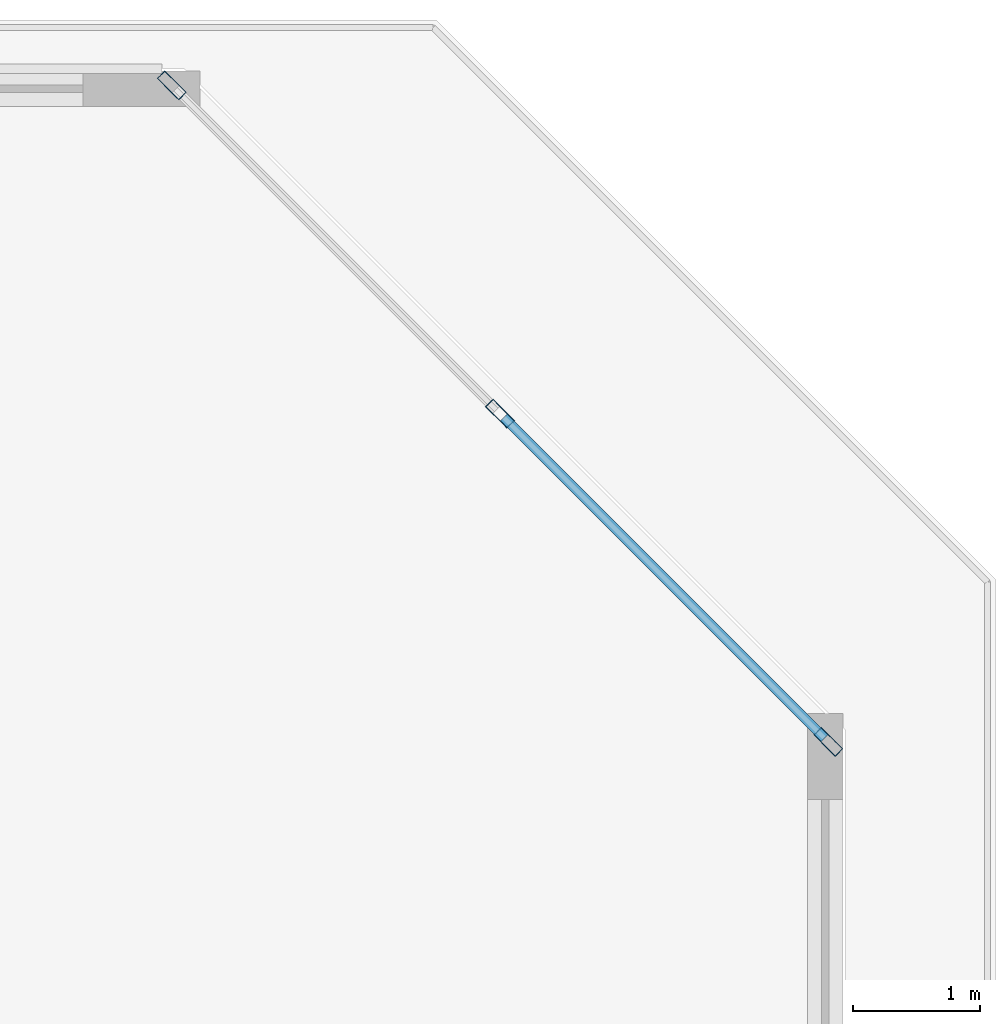
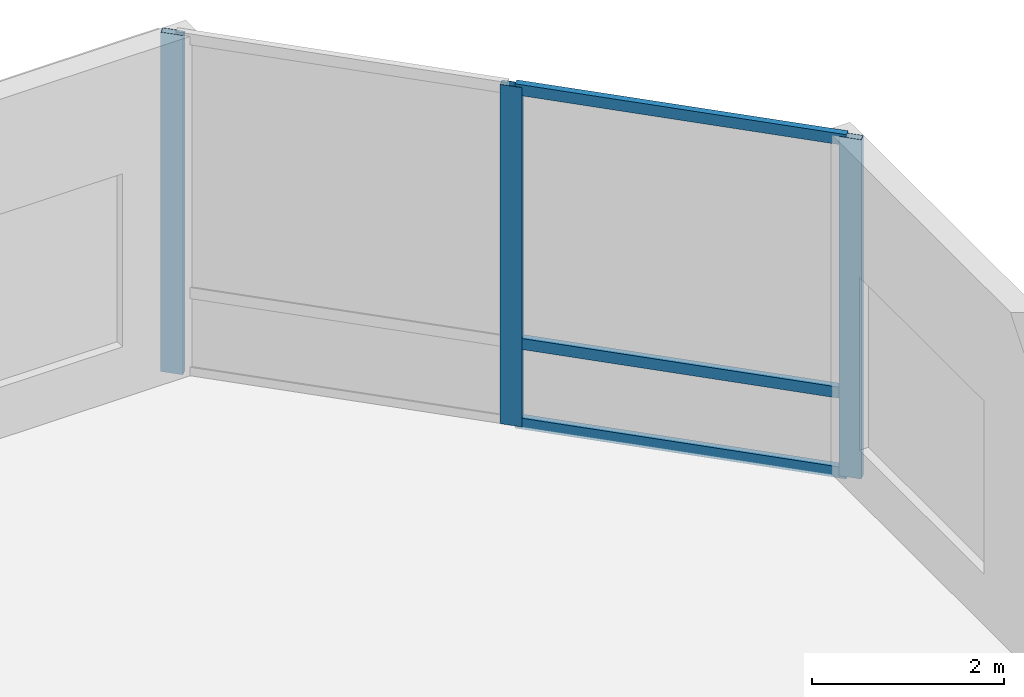
# One storey, part 4 of 14: 6 members, 1 element without a shape of its own.
"""IFC4 building model written with IfcOpenShell, lengths in metres."""

from ifc_helpers import new_model, si_unit, direction, frame, origin, origin_2d, place, context, subcontext, project, spatial, hollow_rectangle, extrude, material, layer, layer_set, material_profile, profile_set, type_object, element, aggregate, save


model = new_model("IFC4")

# Units and contexts
model_context = context("Model", 3, precision=1e-05, world=origin(), true_north=direction((0.0, 1.0)))
body_context = subcontext(model_context, "Body", "Model", "MODEL_VIEW")
ifc_project = project(units=[si_unit("LENGTHUNIT", "METRE"), si_unit("AREAUNIT", "SQUARE_METRE"), si_unit("VOLUMEUNIT", "CUBIC_METRE"), si_unit("PLANEANGLEUNIT", "RADIAN"), si_unit("MASSUNIT", "GRAM", prefix="KILO")], contexts=[model_context])

# Site, building, storey
site_placement = place(None, origin())
site = spatial("IfcSite", under=ifc_project, at=site_placement, CompositionType="ELEMENT")
building_placement = place(site_placement, origin())
building = spatial("IfcBuilding", under=site, at=building_placement, Name="Kestravale Grand Hotel", CompositionType="ELEMENT")
storey_placement = place(building_placement, frame((0.0, 0.0, 297.39990234375)))
storey = spatial("IfcBuildingStorey", under=building, at=storey_placement, Name="L74", CompositionType="ELEMENT", Elevation=297.39990234375)

# Curtain wall, members
ifc_material_1 = material(Name="Thermally broken champagne-bronze aluminium and low-E glazing", Category="aluminium")
ifc_layer = layer(ifc_material_1, 0.239990234375)
ifc_layer_set = layer_set([ifc_layer], Name="CW-OBS")
curtain_wall_type = type_object("IfcCurtainWallType", Name="CW-OBS", PredefinedType="NOTDEFINED", material=ifc_layer_set)
curtain_wall_placement = place(storey_placement, origin())
curtain_wall = element("IfcCurtainWall", 1, at=curtain_wall_placement, inside=storey, type_object=curtain_wall_type, Name="L74 unitised curtain wall 10", PredefinedType="NOTDEFINED")
ifc_material_2 = material(Name="Aluminium 6063-T6 anodised", Category="aluminium")
ifc_material_profile_1 = material_profile(ifc_material_2, hollow_rectangle(XDim=0.0849609375, YDim=0.239990234375, WallThickness=0.00439453125, at=origin_2d()))
ifc_profile_set_1 = profile_set([ifc_material_profile_1], Name="Aluminium 6063-T6 anodised")
member_type_1 = type_object("IfcMemberType", Name="CW-MUL-240", PredefinedType="MULLION", material=ifc_profile_set_1)
member_1_placement = place(storey_placement, frame((68.88525390625, 42.216796875, 0.0), z_axis=(0.0, 0.0, 1.0), x_axis=(-0.707106781187, -0.707106781187, 0.0)))
member_1 = element("IfcMember", 2, at=member_1_placement, type_object=member_type_1, Name="CW-OBS mullion 1", PredefinedType="MULLION", context=body_context, shape_type="SweptSolid", body=[
    extrude(hollow_rectangle(XDim=0.0849609375, YDim=0.239990234375, WallThickness=0.00439453125, at=origin_2d()), origin(), (0.0, 0.0, 1.0), 4.31005859375),
])
member_2_placement = place(storey_placement, frame((66.301025390625, 44.801025390625, 0.0), z_axis=(0.0, 0.0, 1.0), x_axis=(-0.707106781187, -0.707106781187, 0.0)))
member_2 = element("IfcMember", 3, at=member_2_placement, type_object=member_type_1, Name="CW-OBS mullion 2", PredefinedType="MULLION", context=body_context, shape_type="SweptSolid", body=[
    extrude(hollow_rectangle(XDim=0.0849609375, YDim=0.239990234375, WallThickness=0.00439453125, at=origin_2d()), origin(), (0.0, 0.0, 1.0), 4.31005859375),
])
member_3_placement = place(storey_placement, frame((63.716796875, 47.38525390625, 0.0), z_axis=(0.0, 0.0, 1.0), x_axis=(-0.707106781187, -0.707106781187, 0.0)))
member_3 = element("IfcMember", 4, at=member_3_placement, type_object=member_type_1, Name="CW-OBS mullion 3", PredefinedType="MULLION", context=body_context, shape_type="SweptSolid", body=[
    extrude(hollow_rectangle(XDim=0.0849609375, YDim=0.239990234375, WallThickness=0.00439453125, at=origin_2d()), origin(), (0.0, 0.0, 1.0), 4.31005859375),
])
ifc_material_3 = material(Name="Aluminium 6063-T6 anodised", Category="aluminium")
ifc_material_profile_2 = material_profile(ifc_material_3, hollow_rectangle(XDim=0.074951171875, YDim=0.139892578125, WallThickness=0.00341796875, at=origin_2d()))
ifc_profile_set_2 = profile_set([ifc_material_profile_2], Name="Aluminium 6063-T6 anodised")
member_type_2 = type_object("IfcMemberType", Name="CW-TRN-140", PredefinedType="USERDEFINED", material=ifc_profile_set_2)
member_4_placement = place(storey_placement, frame((68.85498046875, 42.246826171875, 0.03759765625), z_axis=(-0.707072582614, 0.707140978105, 0.0), x_axis=(-0.707140978105, -0.707072582614, 0.0)))
member_4 = element("IfcMember", 5, at=member_4_placement, type_object=member_type_2, Name="CW-OBS transom 1.1", ObjectType="TRANSOM", PredefinedType="USERDEFINED", context=body_context, shape_type="SweptSolid", body=[
    extrude(hollow_rectangle(XDim=0.074951171875, YDim=0.139892578125, WallThickness=0.00341796875, at=origin_2d()), origin(), (0.0, 0.0, 1.0), 3.569580078125),
])
member_5_placement = place(storey_placement, frame((68.85498046875, 42.246826171875, 1.050048828125), z_axis=(-0.707072582614, 0.707140978105, 0.0), x_axis=(-0.707140978105, -0.707072582614, 0.0)))
member_5 = element("IfcMember", 6, at=member_5_placement, type_object=member_type_2, Name="CW-OBS transom 1.2", ObjectType="TRANSOM", PredefinedType="USERDEFINED", context=body_context, shape_type="SweptSolid", body=[
    extrude(hollow_rectangle(XDim=0.074951171875, YDim=0.139892578125, WallThickness=0.00341796875, at=origin_2d()), origin(), (0.0, 0.0, 1.0), 3.569580078125),
])
member_6_placement = place(storey_placement, frame((68.85498046875, 42.246826171875, 4.272705078125), z_axis=(-0.707072582614, 0.707140978105, 0.0), x_axis=(-0.707140978105, -0.707072582614, 0.0)))
member_6 = element("IfcMember", 7, at=member_6_placement, type_object=member_type_2, Name="CW-OBS transom 1.3", ObjectType="TRANSOM", PredefinedType="USERDEFINED", context=body_context, shape_type="SweptSolid", body=[
    extrude(hollow_rectangle(XDim=0.074951171875, YDim=0.139892578125, WallThickness=0.00341796875, at=origin_2d()), origin(), (0.0, 0.0, 1.0), 3.569580078125),
])
aggregate(curtain_wall, [member_1, member_2, member_3, member_4, member_5, member_6])

save(model, "model.ifc")
